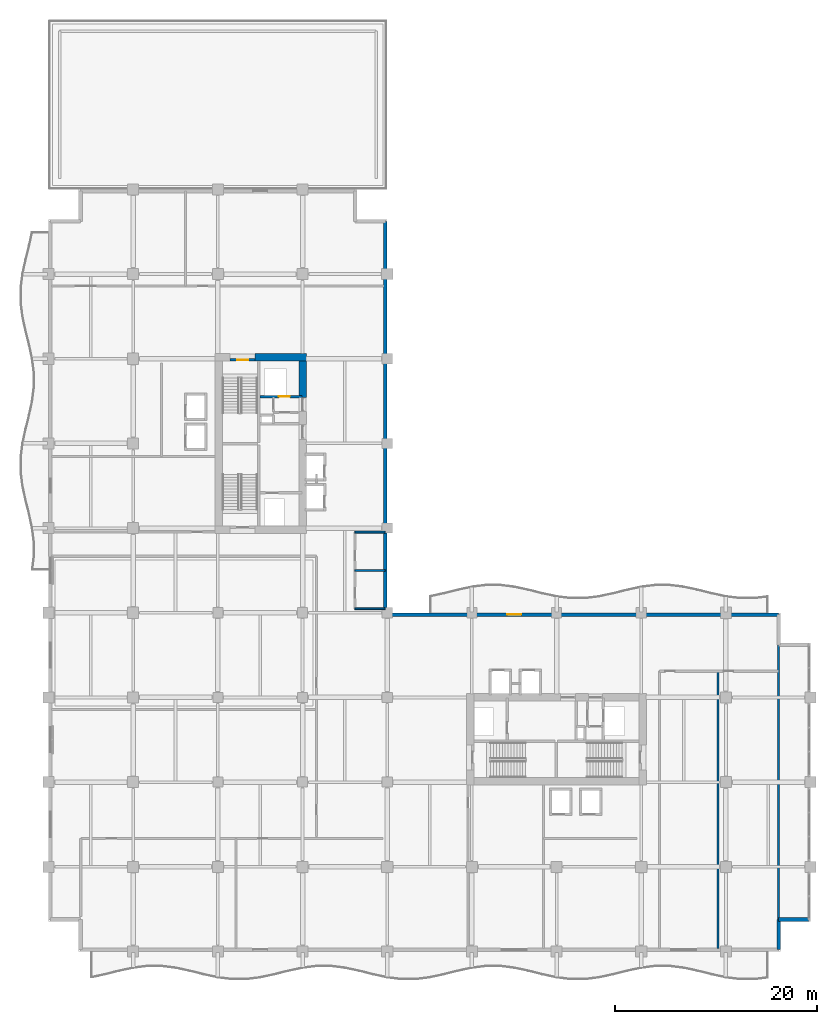
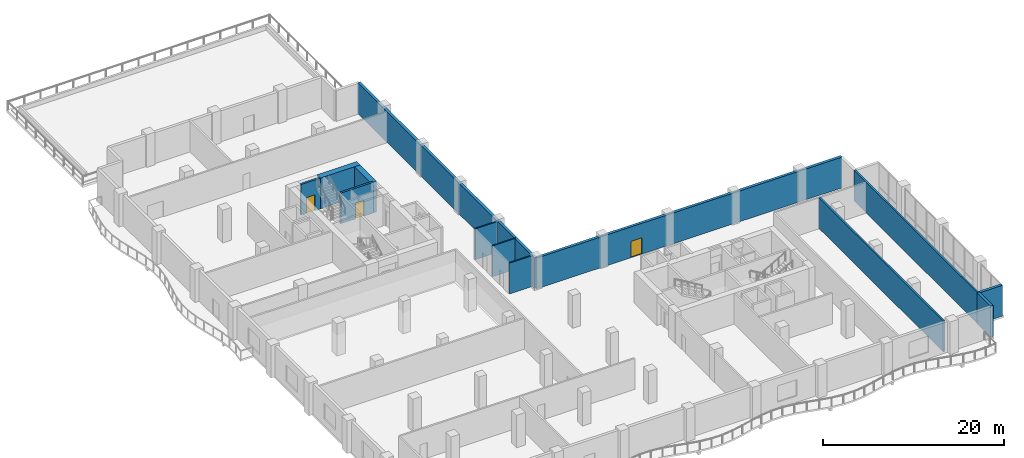
# One storey, part 13 of 22: 13 walls, 3 doors, 3 openings.
"""IFC4 building model written with IfcOpenShell, lengths in metres."""

from ifc_helpers import new_model, si_unit, direction, frame, frame_2d, origin, place, context, subcontext, project, spatial, rectangle, extrude, material, layer, layer_set, type_object, element, fill, save


model = new_model("IFC4")

# Units and contexts
model_context = context("Model", 3, precision=1e-05, world=origin(), true_north=direction((0.0, 1.0)))
body_context = subcontext(model_context, "Body", "Model", "MODEL_VIEW")
ifc_project = project(units=[si_unit("LENGTHUNIT", "METRE"), si_unit("AREAUNIT", "SQUARE_METRE"), si_unit("VOLUMEUNIT", "CUBIC_METRE"), si_unit("PLANEANGLEUNIT", "RADIAN"), si_unit("MASSUNIT", "GRAM", prefix="KILO")], contexts=[model_context])

# Site, building, storey
site_placement = place(None, origin())
site = spatial("IfcSite", under=ifc_project, at=site_placement, CompositionType="ELEMENT")
building_placement = place(site_placement, origin())
building = spatial("IfcBuilding", under=site, at=building_placement, Name="Koriwani Terraces Tower", CompositionType="ELEMENT")
storey_placement = place(building_placement, frame((0.0, 0.0, 153.199951171875)))
storey = spatial("IfcBuildingStorey", under=building, at=storey_placement, Name="L37", CompositionType="ELEMENT", Elevation=153.199951171875)

# Walls
ifc_material_1 = material(Name="Concrete C60/75", Category="concrete")
ifc_layer_1 = layer(ifc_material_1, 0.75, Name="Concrete C60/75")
ifc_layer_set_1 = layer_set([ifc_layer_1], Name="Concrete C60/75")
wall_type_1 = type_object("IfcWallType", Name="WALL_CORE_RC_750", PredefinedType="SHEAR", material=ifc_layer_set_1)
wall_1_placement = place(storey_placement, frame((20.5, 58.925048828125, 0.0), z_axis=(0.0, 0.0, 1.0), x_axis=(1.0, 0.0, 0.0)))
element("IfcWall", 1, at=wall_1_placement, inside=storey, type_object=wall_type_1, Name="L37 West Split Core Shear Wall N2", PredefinedType="SHEAR", context=body_context, shape_type="SweptSolid", body=[
    extrude(rectangle(XDim=5.074951171875, YDim=0.75, at=frame_2d((2.53759765625, 0.0))), origin(), (0.0, 0.0, 1.0), 4.150146484375),
])
wall_2_placement = place(storey_placement, frame((25.199951171875, 54.949951171875, 0.0), z_axis=(0.0, 0.0, 1.0), x_axis=(0.0, 1.0, 0.0)))
element("IfcWall", 2, at=wall_2_placement, inside=storey, type_object=wall_type_1, Name="L37 West Split Core Shear Wall E3", PredefinedType="SHEAR", context=body_context, shape_type="SweptSolid", body=[
    extrude(rectangle(XDim=3.60009765625, YDim=0.75, at=frame_2d((1.800048828125, 0.0))), origin(), (0.0, 0.0, 1.0), 4.150146484375),
])
ifc_material_2 = material(Name="Autoclaved Cellular Concrete Blockwork", Category="masonry")
ifc_layer_2 = layer(ifc_material_2, 0.219970703125, Name="Autoclaved Cellular Concrete Blockwork")
ifc_layer_set_2 = layer_set([ifc_layer_2], Name="Autoclaved Cellular Concrete Blockwork")
wall_type_2 = type_object("IfcWallType", Name="WALL_DEMISING_220", PredefinedType="PARTITIONING", material=ifc_layer_set_2)
wall_3_placement = place(storey_placement, frame((72.39990234375, 3.0, 0.0), z_axis=(0.0, 0.0, 1.0), x_axis=(0.0, 1.0, 0.0)))
element("IfcWall", 3, at=wall_3_placement, inside=storey, type_object=wall_type_2, Name="L37 Interior Wall WSKY-EE-L37", PredefinedType="PARTITIONING", context=body_context, shape_type="SweptSolid", body=[
    extrude(rectangle(XDim=27.39990234375, YDim=0.219970703125, at=frame_2d((13.699951171875, 0.0))), origin(), (0.0, 0.0, 1.0), 4.150146484375),
])
wall_4_placement = place(storey_placement, frame((66.39990234375, 0.300048828125, 0.0), z_axis=(0.0, 0.0, 1.0), x_axis=(0.0, 1.0, 0.0)))
element("IfcWall", 4, at=wall_4_placement, inside=storey, type_object=wall_type_2, Name="L37 Interior Wall WSKY-EDIV-L37", PredefinedType="PARTITIONING", context=body_context, shape_type="SweptSolid", body=[
    extrude(rectangle(XDim=27.5, YDim=0.219970703125, at=frame_2d((13.75, 0.0))), origin(), (0.0, 0.0, 1.0), 4.150146484375),
])
ifc_material_3 = material(Name="Concrete C50/60", Category="concrete")
ifc_layer_3 = layer(ifc_material_3, 0.35009765625, Name="Concrete C50/60")
ifc_layer_set_3 = layer_set([ifc_layer_3], Name="Concrete C50/60")
wall_type_3 = type_object("IfcWallType", Name="WALL_EXT_BRUTALIST_350", PredefinedType="STANDARD", material=ifc_layer_set_3)
wall_5_placement = place(storey_placement, frame((33.425048828125, 72.425048828125, 0.0), z_axis=(0.0, 0.0, 1.0), x_axis=(0.0, -1.0, 0.0)))
element("IfcWall", 5, at=wall_5_placement, inside=storey, type_object=wall_type_3, Name="L37 Fair-Faced Brutalist Exterior Wall (NW_IN)", PredefinedType="STANDARD", context=body_context, shape_type="SweptSolid", body=[
    extrude(rectangle(XDim=39.0, YDim=0.35009765625, at=frame_2d((19.5, 0.0))), origin(), (0.0, 0.0, 1.0), 4.150146484375),
])

# Wall, opening, door
wall_6_placement = place(storey_placement, frame((33.425048828125, 33.425048828125, 0.0), z_axis=(0.0, 0.0, 1.0), x_axis=(1.0, 0.0, 0.0)))
wall_6 = element("IfcWall", 6, at=wall_6_placement, inside=storey, type_object=wall_type_3, Name="L37 Fair-Faced Brutalist Exterior Wall (NE)", PredefinedType="STANDARD", context=body_context, shape_type="SweptSolid", body=[
    extrude(rectangle(XDim=39.0, YDim=0.35009765625, at=frame_2d((19.5, 0.0))), origin(), (0.0, 0.0, 1.0), 4.150146484375),
])
opening_1_placement = place(wall_6_placement, frame((12.074951171875, 0.0, 0.0)))
opening_1 = element("IfcOpeningElement", 7, at=opening_1_placement, cuts=wall_6, Name="Opening D-09", PredefinedType="OPENING", context=body_context, shape_type="SweptSolid", body=[
    extrude(rectangle(XDim=1.39990234375, YDim=2.199951171875, at=frame_2d((0.699951171875, 1.10009765625))), frame((0.0, 0.18505859375, 0.0), z_axis=(0.0, -1.0, 0.0), x_axis=(1.0, 0.0, 0.0)), (0.0, 0.0, 1.0), 0.3701171875),
])
ifc_material_4 = material(Name="Anodised Bronze Aluminium", Category="aluminium")
door_type_1 = type_object("IfcDoorType", Name="DOOR_BALCONY_GLAZED_1400X2200", OperationType="NOTDEFINED", PredefinedType="DOOR", material=ifc_material_4)
door_1_placement = place(opening_1_placement, origin())
door_1 = element("IfcDoor", 8, at=door_1_placement, inside=storey, type_object=door_type_1, Name="L37 Inner Court Balcony Glazed Door", OperationType="SINGLE_SWING_LEFT", OverallHeight=2.199951171875, OverallWidth=1.39990234375, PredefinedType="DOOR", context=body_context, shape_type="SweptSolid", body=[
    extrude(rectangle(XDim=1.39990234375, YDim=2.199951171875, at=frame_2d((0.699951171875, 1.10009765625))), frame((0.0, 0.02490234375, 0.0), z_axis=(0.0, -1.0, 0.0), x_axis=(1.0, 0.0, 0.0)), (0.0, 0.0, 1.0), 0.050048828125),
])
fill(opening_1, door_1)

# Walls
for number, where, z_axis, x_axis, name in (
    (9, (75.425048828125, 3.175048828125, 0.0), (0.0, 0.0, 1.0), (-1.0, 0.0, 0.0), "L37 Fair-Faced Brutalist Exterior Wall (N13)"),
    (10, (72.425048828125, 3.175048828125, 0.0), (0.0, 0.0, 1.0), (0.0, -1.0, 0.0), "L37 Fair-Faced Brutalist Exterior Wall (N14)"),
):
    element("IfcWall", number, at=place(storey_placement, frame(where, z_axis=z_axis, x_axis=x_axis)), inside=storey, type_object=wall_type_3, Name=name, PredefinedType="STANDARD", context=body_context, shape_type="SweptSolid", body=[
        extrude(rectangle(XDim=3.0, YDim=0.35009765625, at=frame_2d((1.5, 0.0))), origin(), (0.0, 0.0, 1.0), 4.150146484375),
    ])
ifc_material_5 = material(Name="Fire-Rated Acoustic Gypsum Partition", Category="masonry")
ifc_layer_4 = layer(ifc_material_5, 0.179931640625, Name="Fire-Rated Acoustic Gypsum Partition")
ifc_layer_set_4 = layer_set([ifc_layer_4], Name="Fire-Rated Acoustic Gypsum Partition")
wall_type_4 = type_object("IfcWallType", Name="WALL_PLUMBING_180", PredefinedType="PLUMBINGWALL", material=ifc_layer_set_4)
for number, where, z_axis, x_axis, name in (
    (11, (30.39990234375, 34.0, 0.0), (0.0, 0.0, 1.0), (1.0, 0.0, 0.0), "L37 Interior Wall WSKY-WCS-L37"),
    (12, (30.39990234375, 37.800048828125, 0.0), (0.0, 0.0, 1.0), (1.0, 0.0, 0.0), "L37 Interior Wall WSKY-WCM-L37"),
    (13, (30.39990234375, 41.60009765625, 0.0), (0.0, 0.0, 1.0), (1.0, 0.0, 0.0), "L37 Interior Wall WSKY-WCN-L37"),
):
    element("IfcWall", number, at=place(storey_placement, frame(where, z_axis=z_axis, x_axis=x_axis)), inside=storey, type_object=wall_type_4, Name=name, PredefinedType="PLUMBINGWALL", context=body_context, shape_type="SweptSolid", body=[
        extrude(rectangle(XDim=3.0, YDim=0.179931640625, at=frame_2d((1.5, 0.0))), origin(), (0.0, 0.0, 1.0), 4.150146484375),
    ])

# Wall, opening, door
ifc_material_6 = material(Name="Concrete C40/50", Category="concrete")
ifc_layer_5 = layer(ifc_material_6, 0.25, Name="Concrete C40/50")
ifc_layer_set_5 = layer_set([ifc_layer_5], Name="Concrete C40/50")
wall_type_5 = type_object("IfcWallType", Name="WALL_SHAFT_RATED_250", PredefinedType="SOLIDWALL", material=ifc_layer_set_5)
wall_7_placement = place(storey_placement, frame((18.0, 58.675048828125, 0.0), z_axis=(0.0, 0.0, 1.0), x_axis=(1.0, 0.0, 0.0)))
wall_7 = element("IfcWall", 14, at=wall_7_placement, inside=storey, type_object=wall_type_5, Name="L37 Interior Wall WIN-CW-L37-STN", PredefinedType="SOLIDWALL", context=body_context, shape_type="SweptSolid", body=[
    extrude(rectangle(XDim=2.5, YDim=0.25, at=frame_2d((1.25, 0.0))), origin(), (0.0, 0.0, 1.0), 4.150146484375),
])
opening_2_placement = place(wall_7_placement, frame((0.699951171875, 0.0, 0.0)))
opening_2 = element("IfcOpeningElement", 15, at=opening_2_placement, cuts=wall_7, Name="Opening D-03", PredefinedType="OPENING", context=body_context, shape_type="SweptSolid", body=[
    extrude(rectangle(XDim=1.10009765625, YDim=2.14990234375, at=frame_2d((0.550048828125, 1.074951171875))), frame((0.0, 0.135009765625, 0.0), z_axis=(0.0, -1.0, 0.0), x_axis=(1.0, 0.0, 0.0)), (0.0, 0.0, 1.0), 0.27001953125),
])
ifc_material_7 = material(Name="Steel ASTM A572 Grade 50", Category="steel")
door_type_2 = type_object("IfcDoorType", Name="DOOR_STAIR_FIRE_1100X2150", OperationType="NOTDEFINED", PredefinedType="DOOR", material=ifc_material_7)
door_2_placement = place(opening_2_placement, origin())
door_2 = element("IfcDoor", 16, at=door_2_placement, inside=storey, type_object=door_type_2, Name="L37 Exit Stair ST-W2 Door", OperationType="SINGLE_SWING_RIGHT", OverallHeight=2.14990234375, OverallWidth=1.10009765625, PredefinedType="DOOR", context=body_context, shape_type="SweptSolid", body=[
    extrude(rectangle(XDim=1.10009765625, YDim=2.14990234375, at=frame_2d((0.550048828125, 1.074951171875))), frame((0.0, 0.02490234375, 0.0), z_axis=(0.0, -1.0, 0.0), x_axis=(1.0, 0.0, 0.0)), (0.0, 0.0, 1.0), 0.050048828125),
])
fill(opening_2, door_2)

wall_8_placement = place(storey_placement, frame((21.0, 55.050048828125, 0.0), z_axis=(0.0, 0.0, 1.0), x_axis=(1.0, 0.0, 0.0)))
wall_8 = element("IfcWall", 17, at=wall_8_placement, inside=storey, type_object=wall_type_5, Name="L37 Interior Wall WIN-CW-L37-SE", PredefinedType="SOLIDWALL", context=body_context, shape_type="SweptSolid", body=[
    extrude(rectangle(XDim=4.14990234375, YDim=0.25, at=frame_2d((2.074951171875, 0.0))), origin(), (0.0, 0.0, 1.0), 4.150146484375),
])
opening_3_placement = place(wall_8_placement, frame((1.85009765625, 0.0, 0.0)))
opening_3 = element("IfcOpeningElement", 18, at=opening_3_placement, cuts=wall_8, Name="Opening LD-01", PredefinedType="OPENING", context=body_context, shape_type="SweptSolid", body=[
    extrude(rectangle(XDim=1.10009765625, YDim=2.14990234375, at=frame_2d((0.550048828125, 1.074951171875))), frame((0.0, 0.135009765625, 0.0), z_axis=(0.0, -1.0, 0.0), x_axis=(1.0, 0.0, 0.0)), (0.0, 0.0, 1.0), 0.27001953125),
])
door_type_3 = type_object("IfcDoorType", Name="DOOR_LIFT_LANDING_1100X2200", OperationType="NOTDEFINED", PredefinedType="DOOR", material=ifc_material_7)
door_3_placement = place(opening_3_placement, origin())
door_3 = element("IfcDoor", 19, at=door_3_placement, inside=storey, type_object=door_type_3, Name="L37 Goods Lift SE-01 Landing Door", OperationType="SLIDING_TO_LEFT", OverallHeight=2.14990234375, OverallWidth=1.10009765625, PredefinedType="DOOR", context=body_context, shape_type="SweptSolid", body=[
    extrude(rectangle(XDim=1.10009765625, YDim=2.14990234375, at=frame_2d((0.550048828125, 1.074951171875))), frame((0.0, 0.02490234375, 0.0), z_axis=(0.0, -1.0, 0.0), x_axis=(1.0, 0.0, 0.0)), (0.0, 0.0, 1.0), 0.050048828125),
])
fill(opening_3, door_3)

save(model, "model.ifc")
